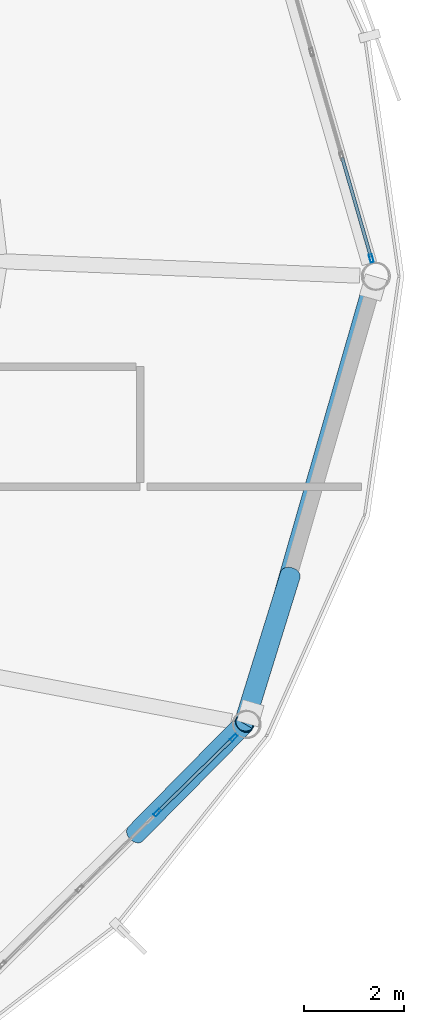
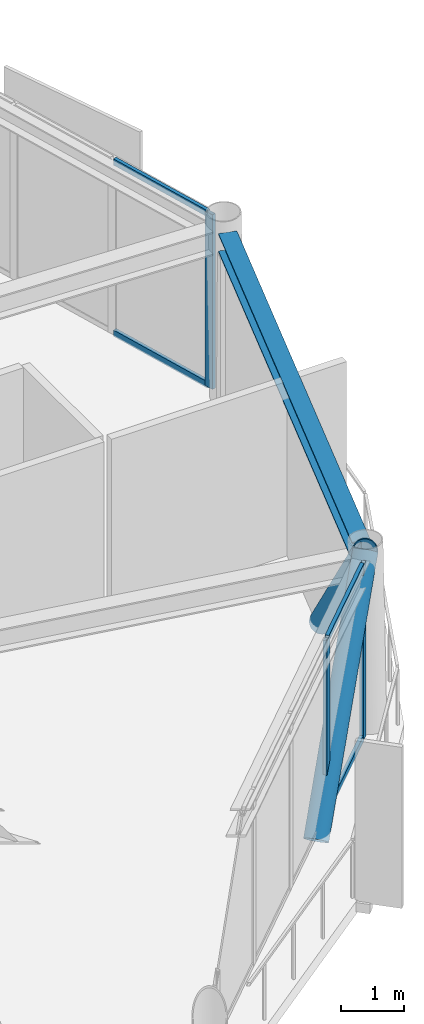
# One storey, part 16 of 26: 9 members, 1 beam, 2 elements without a shape of their own.
"""IFC4 building model written with IfcOpenShell, lengths in metres."""

from ifc_helpers import new_model, si_unit, direction, frame, origin, origin_2d, place, context, subcontext, project, spatial, hollow_rectangle, hollow_circle, i_section, extrude, material, layer, layer_set, material_profile, profile_set, type_object, element, aggregate, save


model = new_model("IFC4")

# Units and contexts
model_context = context("Model", 3, precision=1e-05, world=origin(), true_north=direction((0.0, 1.0)))
body_context = subcontext(model_context, "Body", "Model", "MODEL_VIEW")
ifc_project = project(units=[si_unit("LENGTHUNIT", "METRE"), si_unit("AREAUNIT", "SQUARE_METRE"), si_unit("VOLUMEUNIT", "CUBIC_METRE"), si_unit("PLANEANGLEUNIT", "RADIAN"), si_unit("MASSUNIT", "GRAM", prefix="KILO")], contexts=[model_context])

# Site, building, storey
site_placement = place(None, origin())
site = spatial("IfcSite", under=ifc_project, at=site_placement, CompositionType="ELEMENT")
building_placement = place(site_placement, origin())
building = spatial("IfcBuilding", under=site, at=building_placement, Name="Varnakorn Sky Granary", CompositionType="ELEMENT")
storey_placement = place(building_placement, frame((0.0, 0.0, 256.199951171875)))
storey = spatial("IfcBuildingStorey", under=building, at=storey_placement, Name="L65", CompositionType="ELEMENT", Elevation=256.199951171875)

# Beam
ifc_material_1 = material(Name="Steel S355JR", Category="steel")
ifc_material_profile_1 = material_profile(ifc_material_1, i_section(OverallWidth=0.300048828125, OverallDepth=0.360107421875, WebThickness=0.012451171875, FlangeThickness=0.0224609375, at=origin_2d()), Name="HE 360 B")
ifc_profile_set_1 = profile_set([ifc_material_profile_1], Name="Steel S355JR")
beam_type = type_object("IfcBeamType", Name="BM-SPD-Z5", PredefinedType="SPANDREL", material=ifc_profile_set_1)
beam_placement = place(storey_placement, frame((20.647705078125, -8.663818359375, 3.179931640625), z_axis=(0.276662358979, 0.960967189411, 0.0), x_axis=(-0.960967189411, 0.276662358979, 0.0)))
element("IfcBeam", 1, at=beam_placement, inside=storey, type_object=beam_type, Name="Perimeter Spandrel Ring Beam RB12 L65", PredefinedType="SPANDREL", context=body_context, shape_type="SweptSolid", body=[
    extrude(i_section(OverallWidth=0.300048828125, OverallDepth=0.360107421875, WebThickness=0.012451171875, FlangeThickness=0.0224609375, at=origin_2d()), origin(), (0.0, 0.0, 1.0), 8.751220703125),
])

# Curtain wall, member
ifc_material_2 = material(Name="Anodised Bronze Aluminium Alloy 6063-T6", Category="aluminium")
ifc_layer = layer(ifc_material_2, 0.159912109375, Name="Anodised Bronze Aluminium Alloy 6063-T6")
ifc_layer_set = layer_set([ifc_layer], Name="Anodised Bronze Aluminium Alloy 6063-T6")
curtain_wall_type = type_object("IfcCurtainWallType", Name="CW-OFF-1", PredefinedType="USERDEFINED", material=ifc_layer_set)
curtain_wall_1_placement = place(storey_placement, origin())
curtain_wall_1 = element("IfcCurtainWall", 2, at=curtain_wall_1_placement, inside=storey, type_object=curtain_wall_type, Name="Unitised Curtain Wall CW6 CW-L65-B01", ObjectType="CURTAIN WALL", PredefinedType="USERDEFINED")
ifc_material_profile_2 = material_profile(ifc_material_2, hollow_rectangle(XDim=0.06494140625, YDim=0.159912109375, WallThickness=0.00341796875, at=origin_2d()), Name="ALU MULL 65x160")
ifc_profile_set_2 = profile_set([ifc_material_profile_2], Name="Anodised Bronze Aluminium Alloy 6063-T6")
member_type_1 = type_object("IfcMemberType", Name="CW-OFF-1-MULL", PredefinedType="MULLION", material=ifc_profile_set_2)
member_1_placement = place(storey_placement, frame((23.10693359375, 0.357421875, 0.0), z_axis=(0.0, 0.0, 1.0), x_axis=(0.960845569821, 0.277084447334, 0.0)))
member_1 = element("IfcMember", 3, at=member_1_placement, type_object=member_type_1, Name="CW6 mullion 5", PredefinedType="MULLION", context=body_context, shape_type="SweptSolid", body=[
    extrude(hollow_rectangle(XDim=0.06494140625, YDim=0.159912109375, WallThickness=0.00341796875, at=origin_2d()), origin(), (0.0, 0.0, 1.0), 3.360107421875),
])

# Curtain wall, members
curtain_wall_2_placement = place(storey_placement, origin())
curtain_wall_2 = element("IfcCurtainWall", 4, at=curtain_wall_2_placement, inside=storey, type_object=curtain_wall_type, Name="Unitised Curtain Wall CW6 CW-L65-B11", ObjectType="CURTAIN WALL", PredefinedType="USERDEFINED")
member_2_placement = place(storey_placement, frame((20.36767578125, -9.195556640625, 0.0), z_axis=(0.0, 0.0, 1.0), x_axis=(0.700118147913, -0.71402701557, 0.0)))
member_2 = element("IfcMember", 5, at=member_2_placement, type_object=member_type_1, Name="CW6 mullion 1", PredefinedType="MULLION", context=body_context, shape_type="SweptSolid", body=[
    extrude(hollow_rectangle(XDim=0.06494140625, YDim=0.159912109375, WallThickness=0.00341796875, at=origin_2d()), origin(), (0.0, 0.0, 1.0), 3.360107421875),
])
member_3_placement = place(storey_placement, frame((18.844482421875, -10.68896484375, 0.0), z_axis=(0.0, 0.0, 1.0), x_axis=(0.700118147913, -0.71402701557, 0.0)))
member_3 = element("IfcMember", 6, at=member_3_placement, type_object=member_type_1, Name="CW6 mullion 2", PredefinedType="MULLION", context=body_context, shape_type="SweptSolid", body=[
    extrude(hollow_rectangle(XDim=0.06494140625, YDim=0.159912109375, WallThickness=0.00341796875, at=origin_2d()), origin(), (0.0, 0.0, 1.0), 3.360107421875),
])

# Member
ifc_material_profile_3 = material_profile(ifc_material_2, hollow_rectangle(XDim=0.06494140625, YDim=0.1201171875, WallThickness=0.00341796875, at=origin_2d()), Name="ALU TRAN 65x120")
ifc_profile_set_3 = profile_set([ifc_material_profile_3], Name="Anodised Bronze Aluminium Alloy 6063-T6")
member_type_2 = type_object("IfcMemberType", Name="CW-OFF-1-TRAN", PredefinedType="USERDEFINED", material=ifc_profile_set_3)
member_4_placement = place(storey_placement, frame((22.52783203125, 2.36572265625, 0.032470703125), z_axis=(0.277055324122, -0.960853967768, 0.0), x_axis=(0.960853967768, 0.277055324122, 0.0)))
member_4 = element("IfcMember", 7, at=member_4_placement, type_object=member_type_2, Name="CW6 transom 4.1", ObjectType="TRANSOM", PredefinedType="USERDEFINED", context=body_context, shape_type="SweptSolid", body=[
    extrude(hollow_rectangle(XDim=0.06494140625, YDim=0.1201171875, WallThickness=0.00341796875, at=origin_2d()), origin(), (0.0, 0.0, 1.0), 2.0576171875),
])

member_5_placement = place(storey_placement, frame((22.52783203125, 2.36572265625, 3.32763671875), z_axis=(0.277055324122, -0.960853967768, 0.0), x_axis=(0.960853967768, 0.277055324122, 0.0)))
member_5 = element("IfcMember", 8, at=member_5_placement, type_object=member_type_2, Name="CW6 transom 4.2", ObjectType="TRANSOM", PredefinedType="USERDEFINED", context=body_context, shape_type="SweptSolid", body=[
    extrude(hollow_rectangle(XDim=0.06494140625, YDim=0.1201171875, WallThickness=0.00341796875, at=origin_2d()), origin(), (0.0, 0.0, 1.0), 2.0576171875),
])

aggregate(curtain_wall_1, [member_1, member_4, member_5])

member_6_placement = place(storey_placement, frame((20.344482421875, -9.21826171875, 0.032470703125), z_axis=(-0.714036969685, -0.7001079959, 0.0), x_axis=(0.7001079959, -0.714036969685, 0.0)))
member_6 = element("IfcMember", 9, at=member_6_placement, type_object=member_type_2, Name="CW6 transom 1.1", ObjectType="TRANSOM", PredefinedType="USERDEFINED", context=body_context, shape_type="SweptSolid", body=[
    extrude(hollow_rectangle(XDim=0.06494140625, YDim=0.1201171875, WallThickness=0.00341796875, at=origin_2d()), origin(), (0.0, 0.0, 1.0), 2.068359375),
])

member_7_placement = place(storey_placement, frame((20.344482421875, -9.21826171875, 3.32763671875), z_axis=(-0.714036969685, -0.7001079959, 0.0), x_axis=(0.7001079959, -0.714036969685, 0.0)))
member_7 = element("IfcMember", 10, at=member_7_placement, type_object=member_type_2, Name="CW6 transom 1.2", ObjectType="TRANSOM", PredefinedType="USERDEFINED", context=body_context, shape_type="SweptSolid", body=[
    extrude(hollow_rectangle(XDim=0.06494140625, YDim=0.1201171875, WallThickness=0.00341796875, at=origin_2d()), origin(), (0.0, 0.0, 1.0), 2.068359375),
])

aggregate(curtain_wall_2, [member_2, member_3, member_6, member_7])

# Members
ifc_material_3 = material(Name="Steel S460M", Category="steel")
ifc_material_profile_4 = material_profile(ifc_material_3, hollow_circle(Radius=0.203125, WallThickness=0.01611328125, at=origin_2d()), Name="CHS 406.4x16")
ifc_profile_set_4 = profile_set([ifc_material_profile_4], Name="Steel S460M")
member_type_3 = type_object("IfcMemberType", Name="MB-DIAG-T4", PredefinedType="BRACE", material=ifc_profile_set_4)
member_8_placement = place(storey_placement, frame((18.40966796875, -11.115234375, -0.1298828125), z_axis=(0.464775779747, 0.471747154361, 0.749291730177), x_axis=(-0.712350671031, 0.701823711114, 0.0)))
element("IfcMember", 11, at=member_8_placement, inside=storey, type_object=member_type_3, Name="Perimeter CHS Diagrid Brace DG11 L65", PredefinedType="BRACE", context=body_context, shape_type="SweptSolid", body=[
    extrude(hollow_circle(Radius=0.203125, WallThickness=0.01611328125, at=origin_2d()), origin(), (0.0, 0.0, 1.0), 4.65771484375),
])
member_9_placement = place(storey_placement, frame((21.4921875, -5.956787109375, -0.1298828125), z_axis=(-0.196596291847, -0.634348609687, 0.747630750719), x_axis=(0.955179373427, -0.296027641579, 0.0)))
element("IfcMember", 12, at=member_9_placement, inside=storey, type_object=member_type_3, Name="Perimeter CHS Diagrid Brace DG12 L65", PredefinedType="BRACE", context=body_context, shape_type="SweptSolid", body=[
    extrude(hollow_circle(Radius=0.203125, WallThickness=0.01611328125, at=origin_2d()), origin(), (0.0, 0.0, 1.0), 4.66796875),
])

save(model, "model.ifc")
